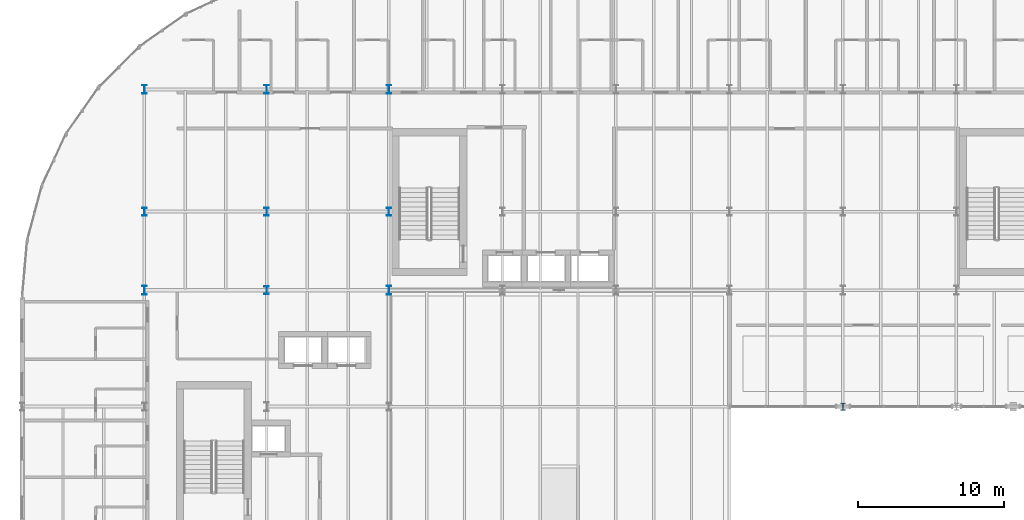
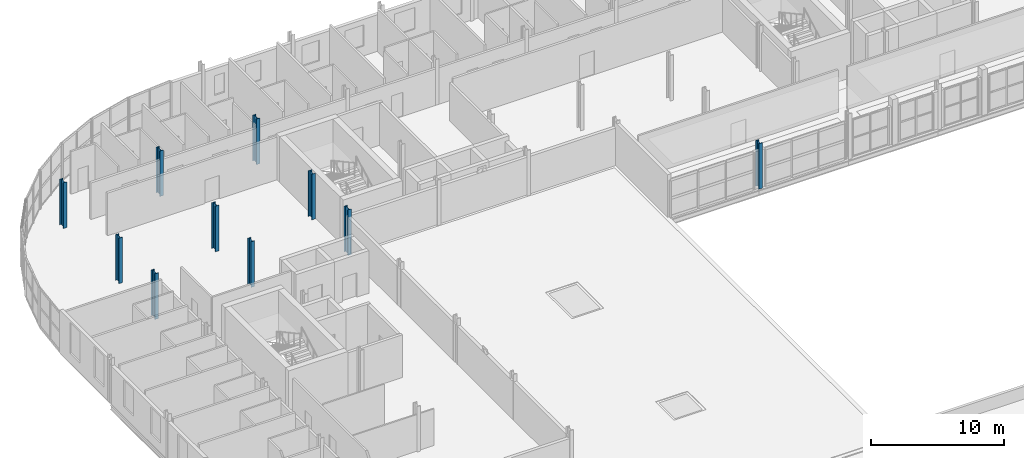
# One storey, part 4 of 58: 10 columns.
"""IFC4 building model written with IfcOpenShell, lengths in metres."""

from ifc_helpers import new_model, si_unit, direction, frame, origin, origin_2d, place, context, subcontext, project, spatial, i_section, extrude, material, material_profile, profile_set, type_object, element, save


model = new_model("IFC4")

# Units and contexts
model_context = context("Model", 3, precision=1e-05, world=origin(), true_north=direction((0.0, 1.0)))
body_context = subcontext(model_context, "Body", "Model", "MODEL_VIEW")
ifc_project = project(units=[si_unit("LENGTHUNIT", "METRE"), si_unit("AREAUNIT", "SQUARE_METRE"), si_unit("VOLUMEUNIT", "CUBIC_METRE"), si_unit("PLANEANGLEUNIT", "RADIAN"), si_unit("MASSUNIT", "GRAM", prefix="KILO")], contexts=[model_context])

# Site, building, storey
site_placement = place(None, origin())
site = spatial("IfcSite", under=ifc_project, at=site_placement, CompositionType="ELEMENT")
building_placement = place(site_placement, origin())
building = spatial("IfcBuilding", under=site, at=building_placement, Name="Sefraquen Railside Congress Hotel", CompositionType="ELEMENT")
storey_placement = place(building_placement, frame((0.0, 0.0, 16.199951171875)))
storey = spatial("IfcBuildingStorey", under=building, at=storey_placement, Name="L03", CompositionType="ELEMENT", Elevation=16.199951171875)

# Columns
ifc_material = material(Name="Steel S355JR", Category="steel")
ifc_material_profile_1 = material_profile(ifc_material, i_section(OverallWidth=0.300048828125, OverallDepth=0.5, WebThickness=0.014404296875, FlangeThickness=0.028076171875, FilletRadius=0.027099609375, at=origin_2d()), Name="HEB 500")
ifc_profile_set_1 = profile_set([ifc_material_profile_1], Name="Steel S355JR")
column_type_1 = type_object("IfcColumnType", Name="TC-HEB-500", PredefinedType="COLUMN", material=ifc_profile_set_1)
column_placement = place(storey_placement, frame((56.39990234375, 88.0, 0.0), z_axis=(0.0, 0.0, 1.0), x_axis=(1.0, 0.0, 0.0)))
element("IfcColumn", 1, at=column_placement, inside=storey, type_object=column_type_1, Name="Structural column 8-L L03", PredefinedType="COLUMN", context=body_context, shape_type="SweptSolid", body=[
    extrude(i_section(OverallWidth=0.300048828125, OverallDepth=0.5, WebThickness=0.014404296875, FlangeThickness=0.028076171875, FilletRadius=0.027099609375, at=origin_2d()), origin(), (0.0, 0.0, 1.0), 4.199951171875),
])
ifc_material_profile_2 = material_profile(ifc_material, i_section(OverallWidth=0.300048828125, OverallDepth=0.550048828125, WebThickness=0.014892578125, FlangeThickness=0.029052734375, FilletRadius=0.027099609375, at=origin_2d()), Name="HEB 550")
ifc_profile_set_2 = profile_set([ifc_material_profile_2], Name="Steel S355JR")
column_type_2 = type_object("IfcColumnType", Name="TC-HEB-550", PredefinedType="COLUMN", material=ifc_profile_set_2)
for number, where, z_axis, x_axis, name in (
    (2, (16.800048828125, 96.0, 0.0), (0.0, 0.0, 1.0), (1.0, 0.0, 0.0), "Structural column 3-M L03"),
    (3, (8.39990234375, 101.39990234375, 0.0), (0.0, 0.0, 1.0), (1.0, 0.0, 0.0), "Structural column 2-N L03"),
    (4, (16.800048828125, 101.39990234375, 0.0), (0.0, 0.0, 1.0), (1.0, 0.0, 0.0), "Structural column 3-N L03"),
    (5, (25.199951171875, 101.39990234375, 0.0), (0.0, 0.0, 1.0), (1.0, 0.0, 0.0), "Structural column 4-N L03"),
):
    element("IfcColumn", number, at=place(storey_placement, frame(where, z_axis=z_axis, x_axis=x_axis)), inside=storey, type_object=column_type_2, Name=name, PredefinedType="COLUMN", context=body_context, shape_type="SweptSolid", body=[
        extrude(i_section(OverallWidth=0.300048828125, OverallDepth=0.550048828125, WebThickness=0.014892578125, FlangeThickness=0.029052734375, FilletRadius=0.027099609375, at=origin_2d()), origin(), (0.0, 0.0, 1.0), 4.199951171875),
    ])
ifc_material_profile_3 = material_profile(ifc_material, i_section(OverallWidth=0.300048828125, OverallDepth=0.60009765625, WebThickness=0.015380859375, FlangeThickness=0.030029296875, FilletRadius=0.027099609375, at=origin_2d()), Name="HEB 600")
ifc_profile_set_3 = profile_set([ifc_material_profile_3], Name="Steel S355JR")
column_type_3 = type_object("IfcColumnType", Name="TC-HEB-600", PredefinedType="COLUMN", material=ifc_profile_set_3)
for number, where, z_axis, x_axis, name in (
    (6, (8.39990234375, 96.0, 0.0), (0.0, 0.0, 1.0), (1.0, 0.0, 0.0), "Structural column 2-M L03"),
    (7, (25.199951171875, 96.0, 0.0), (0.0, 0.0, 1.0), (1.0, 0.0, 0.0), "Structural column 4-M L03"),
    (8, (8.39990234375, 109.800048828125, 0.0), (0.0, 0.0, 1.0), (1.0, 0.0, 0.0), "Structural column 2-P L03"),
    (9, (16.800048828125, 109.800048828125, 0.0), (0.0, 0.0, 1.0), (1.0, 0.0, 0.0), "Structural column 3-P L03"),
    (10, (25.199951171875, 109.800048828125, 0.0), (0.0, 0.0, 1.0), (1.0, 0.0, 0.0), "Structural column 4-P L03"),
):
    element("IfcColumn", number, at=place(storey_placement, frame(where, z_axis=z_axis, x_axis=x_axis)), inside=storey, type_object=column_type_3, Name=name, PredefinedType="COLUMN", context=body_context, shape_type="SweptSolid", body=[
        extrude(i_section(OverallWidth=0.300048828125, OverallDepth=0.60009765625, WebThickness=0.015380859375, FlangeThickness=0.030029296875, FilletRadius=0.027099609375, at=origin_2d()), origin(), (0.0, 0.0, 1.0), 4.199951171875),
    ])

save(model, "model.ifc")
